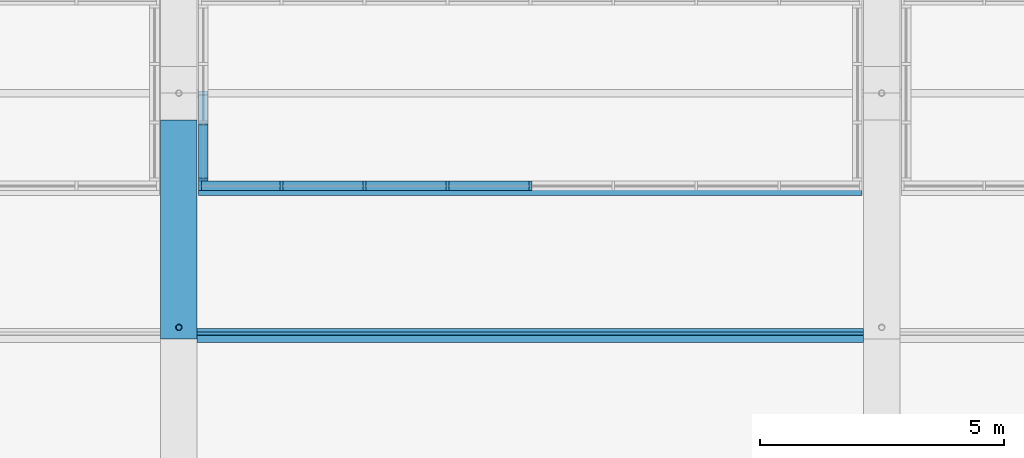
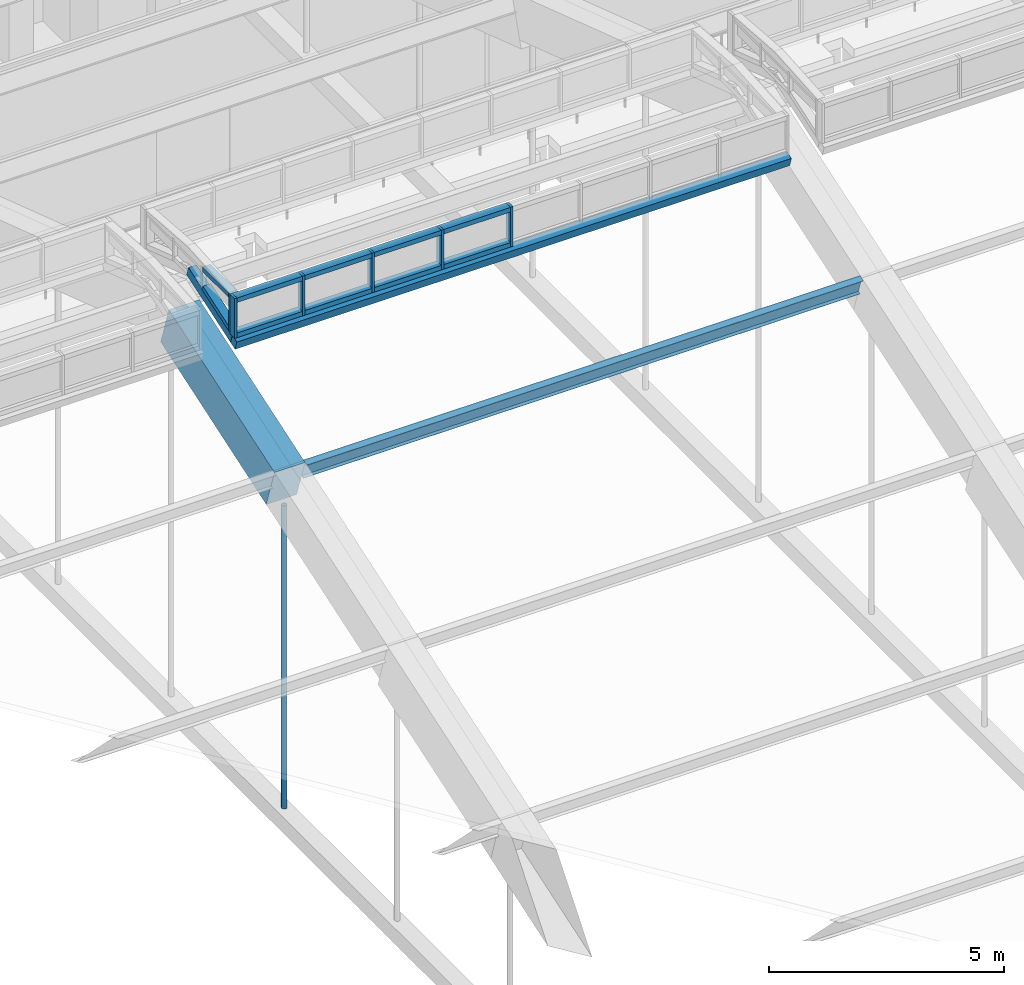
# One storey, part 51 of 149: 20 members, 1 beam, 2 elements without a shape of their own.
"""IFC4 building model written with IfcOpenShell, lengths in metres."""

from ifc_helpers import new_model, si_unit, direction, frame, origin, origin_2d, place, context, subcontext, project, spatial, rectangle, hollow_circle, i_section, extrude, material, material_profile, profile_set, type_object, element, aggregate, save


model = new_model("IFC4")

# Units and contexts
model_context = context("Model", 3, precision=1e-05, world=origin(), true_north=direction((0.0, 1.0)))
body_context = subcontext(model_context, "Body", "Model", "MODEL_VIEW")
ifc_project = project(units=[si_unit("LENGTHUNIT", "METRE"), si_unit("AREAUNIT", "SQUARE_METRE"), si_unit("VOLUMEUNIT", "CUBIC_METRE"), si_unit("PLANEANGLEUNIT", "RADIAN"), si_unit("MASSUNIT", "GRAM", prefix="KILO")], contexts=[model_context])

# Site, building, storey
site_placement = place(None, origin())
site = spatial("IfcSite", under=ifc_project, at=site_placement, CompositionType="ELEMENT")
building_placement = place(site_placement, origin())
building = spatial("IfcBuilding", under=site, at=building_placement, Name="Alderwick Market Hall", CompositionType="ELEMENT")
storey_placement = place(building_placement, frame((0.0, 0.0, 9.60009765625)))
storey = spatial("IfcBuildingStorey", under=building, at=storey_placement, Name="L01", CompositionType="ELEMENT", Elevation=9.60009765625)

# Beam
ifc_material_1 = material(Name="Concrete 5000 psi (f'c 35 MPa)", Category="concrete")
ifc_material_profile_1 = material_profile(ifc_material_1, rectangle(XDim=0.75, YDim=1.10009765625, at=origin_2d()), Name="RC 750x1100")
ifc_profile_set_1 = profile_set([ifc_material_profile_1], Name="Concrete 5000 psi (f'c 35 MPa)")
beam_type = type_object("IfcBeamType", Name="R Arch Rib Crown 750x1100", PredefinedType="BEAM", material=ifc_profile_set_1)
beam_placement = place(storey_placement, frame((93.60009765625, 74.336669921875, 14.78955078125), z_axis=(0.0, 0.948678138981, 0.316243242806), x_axis=(-1.0, 0.0, 0.0)))
element("IfcBeam", 1, at=beam_placement, inside=storey, type_object=beam_type, Name="Arch rib 4 chord 6", PredefinedType="BEAM", context=body_context, shape_type="SweptSolid", body=[
    extrude(rectangle(XDim=0.75, YDim=1.10009765625, at=origin_2d()), origin(), (0.0, 0.0, 1.0), 4.732421875),
])

# Curtain wall, members
ifc_material_2 = material(Name="Aluminium", Category="aluminium")
curtain_wall_type = type_object("IfcCurtainWallType", Name="R Curtain Wall Frame", PredefinedType="NOTDEFINED", material=ifc_material_2)
curtain_wall_1_placement = place(storey_placement, origin())
curtain_wall_1 = element("IfcCurtainWall", 2, at=curtain_wall_1_placement, inside=storey, type_object=curtain_wall_type, Name="Curtain wall LCW S4", PredefinedType="NOTDEFINED")
ifc_material_profile_2 = material_profile(ifc_material_2, rectangle(XDim=0.199951171875, YDim=0.06005859375, at=origin_2d()), Name="AL 60x200")
ifc_profile_set_2 = profile_set([ifc_material_profile_2], Name="Aluminium")
member_type_1 = type_object("IfcMemberType", Name="R CW Mullion 60x200", PredefinedType="MULLION", material=ifc_profile_set_2)
member_1_placement = place(storey_placement, frame((94.030029296875, 77.300048828125, 16.670166015625), z_axis=(0.0, 0.0, 1.0), x_axis=(0.0, 1.0, 0.0)))
member_1 = element("IfcMember", 3, at=member_1_placement, type_object=member_type_1, Name="LCW S4 mullion 1", PredefinedType="MULLION", context=body_context, shape_type="SweptSolid", body=[
    extrude(rectangle(XDim=0.199951171875, YDim=0.06005859375, at=origin_2d()), origin(), (0.0, 0.0, 1.0), 1.02978515625),
])
member_2_placement = place(storey_placement, frame((95.699951171875, 77.300048828125, 16.670166015625), z_axis=(0.0, 0.0, 1.0), x_axis=(0.0, 1.0, 0.0)))
member_2 = element("IfcMember", 4, at=member_2_placement, type_object=member_type_1, Name="LCW S4 mullion 2", PredefinedType="MULLION", context=body_context, shape_type="SweptSolid", body=[
    extrude(rectangle(XDim=0.199951171875, YDim=0.06005859375, at=origin_2d()), origin(), (0.0, 0.0, 1.0), 1.02978515625),
])
member_3_placement = place(storey_placement, frame((97.39990234375, 77.300048828125, 16.670166015625), z_axis=(0.0, 0.0, 1.0), x_axis=(0.0, 1.0, 0.0)))
member_3 = element("IfcMember", 5, at=member_3_placement, type_object=member_type_1, Name="LCW S4 mullion 3", PredefinedType="MULLION", context=body_context, shape_type="SweptSolid", body=[
    extrude(rectangle(XDim=0.199951171875, YDim=0.06005859375, at=origin_2d()), origin(), (0.0, 0.0, 1.0), 1.02978515625),
])
member_4_placement = place(storey_placement, frame((99.10009765625, 77.300048828125, 16.670166015625), z_axis=(0.0, 0.0, 1.0), x_axis=(0.0, 1.0, 0.0)))
member_4 = element("IfcMember", 6, at=member_4_placement, type_object=member_type_1, Name="LCW S4 mullion 4", PredefinedType="MULLION", context=body_context, shape_type="SweptSolid", body=[
    extrude(rectangle(XDim=0.199951171875, YDim=0.06005859375, at=origin_2d()), origin(), (0.0, 0.0, 1.0), 1.02978515625),
])
member_5_placement = place(storey_placement, frame((100.800048828125, 77.300048828125, 16.670166015625), z_axis=(0.0, 0.0, 1.0), x_axis=(0.0, 1.0, 0.0)))
member_5 = element("IfcMember", 7, at=member_5_placement, type_object=member_type_1, Name="LCW S4 mullion 5", PredefinedType="MULLION", context=body_context, shape_type="SweptSolid", body=[
    extrude(rectangle(XDim=0.199951171875, YDim=0.06005859375, at=origin_2d()), origin(), (0.0, 0.0, 1.0), 1.02978515625),
])

# Curtain wall, member
curtain_wall_2_placement = place(storey_placement, origin())
curtain_wall_2 = element("IfcCurtainWall", 8, at=curtain_wall_2_placement, inside=storey, type_object=curtain_wall_type, Name="Curtain wall LCW W4", PredefinedType="NOTDEFINED")
member_6_placement = place(storey_placement, frame((94.10009765625, 77.429931640625, 16.713623046875), z_axis=(0.0, 0.0, 1.0), x_axis=(1.0, 0.0, 0.0)))
member_6 = element("IfcMember", 9, at=member_6_placement, type_object=member_type_1, Name="LCW W4 mullion 1", PredefinedType="MULLION", context=body_context, shape_type="SweptSolid", body=[
    extrude(rectangle(XDim=0.199951171875, YDim=0.06005859375, at=origin_2d()), origin(), (0.0, 0.0, 1.0), 0.986328125),
])

# Member
ifc_material_profile_3 = material_profile(ifc_material_2, rectangle(XDim=0.199951171875, YDim=0.1201171875, at=origin_2d()), Name="AL 120x200")
ifc_profile_set_3 = profile_set([ifc_material_profile_3], Name="Aluminium")
member_type_2 = type_object("IfcMemberType", Name="R CW Transom 120x200", PredefinedType="USERDEFINED", material=ifc_profile_set_3)
member_7_placement = place(storey_placement, frame((94.06005859375, 77.300048828125, 16.730224609375), z_axis=(1.0, 0.0, 0.0), x_axis=(0.0, 1.0, 0.0)))
member_7 = element("IfcMember", 10, at=member_7_placement, type_object=member_type_2, Name="LCW S4 sill transom 1", ObjectType="TRANSOM", PredefinedType="USERDEFINED", context=body_context, shape_type="SweptSolid", body=[
    extrude(rectangle(XDim=0.199951171875, YDim=0.1201171875, at=origin_2d()), origin(), (0.0, 0.0, 1.0), 1.60986328125),
])

member_8_placement = place(storey_placement, frame((94.06005859375, 77.300048828125, 17.639892578125), z_axis=(1.0, 0.0, 0.0), x_axis=(0.0, 1.0, 0.0)))
member_8 = element("IfcMember", 11, at=member_8_placement, type_object=member_type_2, Name="LCW S4 head transom 1", ObjectType="TRANSOM", PredefinedType="USERDEFINED", context=body_context, shape_type="SweptSolid", body=[
    extrude(rectangle(XDim=0.199951171875, YDim=0.1201171875, at=origin_2d()), origin(), (0.0, 0.0, 1.0), 1.60986328125),
])

member_9_placement = place(storey_placement, frame((95.72998046875, 77.300048828125, 16.730224609375), z_axis=(1.0, 0.0, 0.0), x_axis=(0.0, 1.0, 0.0)))
member_9 = element("IfcMember", 12, at=member_9_placement, type_object=member_type_2, Name="LCW S4 sill transom 2", ObjectType="TRANSOM", PredefinedType="USERDEFINED", context=body_context, shape_type="SweptSolid", body=[
    extrude(rectangle(XDim=0.199951171875, YDim=0.1201171875, at=origin_2d()), origin(), (0.0, 0.0, 1.0), 1.64013671875),
])

member_10_placement = place(storey_placement, frame((95.72998046875, 77.300048828125, 17.639892578125), z_axis=(1.0, 0.0, 0.0), x_axis=(0.0, 1.0, 0.0)))
member_10 = element("IfcMember", 13, at=member_10_placement, type_object=member_type_2, Name="LCW S4 head transom 2", ObjectType="TRANSOM", PredefinedType="USERDEFINED", context=body_context, shape_type="SweptSolid", body=[
    extrude(rectangle(XDim=0.199951171875, YDim=0.1201171875, at=origin_2d()), origin(), (0.0, 0.0, 1.0), 1.64013671875),
])

member_11_placement = place(storey_placement, frame((97.429931640625, 77.300048828125, 16.730224609375), z_axis=(1.0, 0.0, 0.0), x_axis=(0.0, 1.0, 0.0)))
member_11 = element("IfcMember", 14, at=member_11_placement, type_object=member_type_2, Name="LCW S4 sill transom 3", ObjectType="TRANSOM", PredefinedType="USERDEFINED", context=body_context, shape_type="SweptSolid", body=[
    extrude(rectangle(XDim=0.199951171875, YDim=0.1201171875, at=origin_2d()), origin(), (0.0, 0.0, 1.0), 1.64013671875),
])

member_12_placement = place(storey_placement, frame((97.429931640625, 77.300048828125, 17.639892578125), z_axis=(1.0, 0.0, 0.0), x_axis=(0.0, 1.0, 0.0)))
member_12 = element("IfcMember", 15, at=member_12_placement, type_object=member_type_2, Name="LCW S4 head transom 3", ObjectType="TRANSOM", PredefinedType="USERDEFINED", context=body_context, shape_type="SweptSolid", body=[
    extrude(rectangle(XDim=0.199951171875, YDim=0.1201171875, at=origin_2d()), origin(), (0.0, 0.0, 1.0), 1.64013671875),
])

member_13_placement = place(storey_placement, frame((99.1298828125, 77.300048828125, 16.730224609375), z_axis=(1.0, 0.0, 0.0), x_axis=(0.0, 1.0, 0.0)))
member_13 = element("IfcMember", 16, at=member_13_placement, type_object=member_type_2, Name="LCW S4 sill transom 4", ObjectType="TRANSOM", PredefinedType="USERDEFINED", context=body_context, shape_type="SweptSolid", body=[
    extrude(rectangle(XDim=0.199951171875, YDim=0.1201171875, at=origin_2d()), origin(), (0.0, 0.0, 1.0), 1.64013671875),
])

member_14_placement = place(storey_placement, frame((99.1298828125, 77.300048828125, 17.639892578125), z_axis=(1.0, 0.0, 0.0), x_axis=(0.0, 1.0, 0.0)))
member_14 = element("IfcMember", 17, at=member_14_placement, type_object=member_type_2, Name="LCW S4 head transom 4", ObjectType="TRANSOM", PredefinedType="USERDEFINED", context=body_context, shape_type="SweptSolid", body=[
    extrude(rectangle(XDim=0.199951171875, YDim=0.1201171875, at=origin_2d()), origin(), (0.0, 0.0, 1.0), 1.64013671875),
])

member_15_placement = place(storey_placement, frame((94.10009765625, 77.4599609375, 16.783447265625), z_axis=(0.0, 0.948662432506, 0.316290355768), x_axis=(-1.0, 0.0, 0.0)))
member_15 = element("IfcMember", 18, at=member_15_placement, type_object=member_type_2, Name="LCW W4 sill transom 1", ObjectType="TRANSOM", PredefinedType="USERDEFINED", context=body_context, shape_type="SweptSolid", body=[
    extrude(rectangle(XDim=0.199951171875, YDim=0.1201171875, at=origin_2d()), origin(), (0.0, 0.0, 1.0), 1.170166015625),
])

member_16_placement = place(storey_placement, frame((94.10009765625, 77.4599609375, 17.639892578125), z_axis=(0.0, 1.0, 0.0), x_axis=(-1.0, 0.0, 0.0)))
member_16 = element("IfcMember", 19, at=member_16_placement, type_object=member_type_2, Name="LCW W4 head transom 1", ObjectType="TRANSOM", PredefinedType="USERDEFINED", context=body_context, shape_type="SweptSolid", body=[
    extrude(rectangle(XDim=0.199951171875, YDim=0.1201171875, at=origin_2d()), origin(), (0.0, 0.0, 1.0), 1.110107421875),
])

ifc_material_3 = material(Name="Steel ASTM A500 Grade C", Category="steel")
ifc_material_profile_4 = material_profile(ifc_material_3, hollow_circle(Radius=0.0634765625, WallThickness=0.005859375, at=origin_2d()), Name="HSS5.000x0.250")
ifc_profile_set_4 = profile_set([ifc_material_profile_4], Name="Steel ASTM A500 Grade C")
member_type_3 = type_object("IfcMemberType", Name="R Hanger HSS5.000x0.250", PredefinedType="POST", material=ifc_profile_set_4)
member_17_placement = place(storey_placement, frame((93.60009765625, 74.39990234375, 6.35302734375), z_axis=(0.0, 0.0, 1.0), x_axis=(1.0, 0.0, 0.0)))
element("IfcMember", 20, at=member_17_placement, inside=storey, type_object=member_type_3, Name="Arch hanger 4.5", PredefinedType="POST", context=body_context, shape_type="SweptSolid", body=[
    extrude(hollow_circle(Radius=0.0634765625, WallThickness=0.005859375, at=origin_2d()), origin(), (0.0, 0.0, 1.0), 7.856689453125),
])

ifc_material_4 = material(Name="Steel ASTM A572 Grade 50", Category="steel")
ifc_material_profile_5 = material_profile(ifc_material_4, rectangle(XDim=0.199951171875, YDim=0.25, at=origin_2d()), Name="Steel plate curb 200x250")
ifc_profile_set_5 = profile_set([ifc_material_profile_5], Name="Steel ASTM A572 Grade 50")
member_type_4 = type_object("IfcMemberType", Name="R Lantern Curb 200x250", PredefinedType="MEMBER", material=ifc_profile_set_5)
member_18_placement = place(storey_placement, frame((94.0, 77.235107421875, 16.551513671875), z_axis=(1.0, 0.0, 0.0), x_axis=(0.0, 0.948683297073, 0.316227768949)))
member_18 = element("IfcMember", 21, at=member_18_placement, type_object=member_type_4, Name="Lantern curb S4", PredefinedType="MEMBER", context=body_context, shape_type="SweptSolid", body=[
    extrude(rectangle(XDim=0.199951171875, YDim=0.25, at=origin_2d()), origin(), (0.0, 0.0, 1.0), 13.60009765625),
])

aggregate(curtain_wall_1, [member_1, member_2, member_3, member_4, member_5, member_7, member_8, member_9, member_10, member_11, member_12, member_13, member_14, member_18])

member_19_placement = place(storey_placement, frame((94.10009765625, 77.335205078125, 16.5849609375), z_axis=(0.0, 0.948683298051, 0.316227766017), x_axis=(-1.0, 0.0, 0.0)))
member_19 = element("IfcMember", 22, at=member_19_placement, type_object=member_type_4, Name="Lantern end curb W4.1", PredefinedType="MEMBER", context=body_context, shape_type="SweptSolid", body=[
    extrude(rectangle(XDim=0.199951171875, YDim=0.25, at=origin_2d()), origin(), (0.0, 0.0, 1.0), 1.965576171875),
])

aggregate(curtain_wall_2, [member_6, member_15, member_16, member_19])

ifc_material_5 = material(Name="Steel ASTM A992 Grade 50", Category="steel")
ifc_material_profile_6 = material_profile(ifc_material_5, i_section(OverallWidth=0.153076171875, OverallDepth=0.455078125, WebThickness=0.008056640625, FlangeThickness=0.01318359375, at=origin_2d()), Name="W18x40")
ifc_profile_set_6 = profile_set([ifc_material_profile_6], Name="Steel ASTM A992 Grade 50")
member_type_5 = type_object("IfcMemberType", Name="R Purlin W18x40", PredefinedType="PURLIN", material=ifc_profile_set_6)
member_20_placement = place(storey_placement, frame((93.97509765625, 74.236572265625, 15.08984375), z_axis=(1.0, 0.0, 0.0), x_axis=(0.0, 0.948683297073, 0.316227768949)))
element("IfcMember", 23, at=member_20_placement, inside=storey, type_object=member_type_5, Name="Roof purlin 6.4", PredefinedType="PURLIN", context=body_context, shape_type="SweptSolid", body=[
    extrude(i_section(OverallWidth=0.153076171875, OverallDepth=0.455078125, WebThickness=0.008056640625, FlangeThickness=0.01318359375, at=origin_2d()), origin(), (0.0, 0.0, 1.0), 13.64990234375),
])

save(model, "model.ifc")
